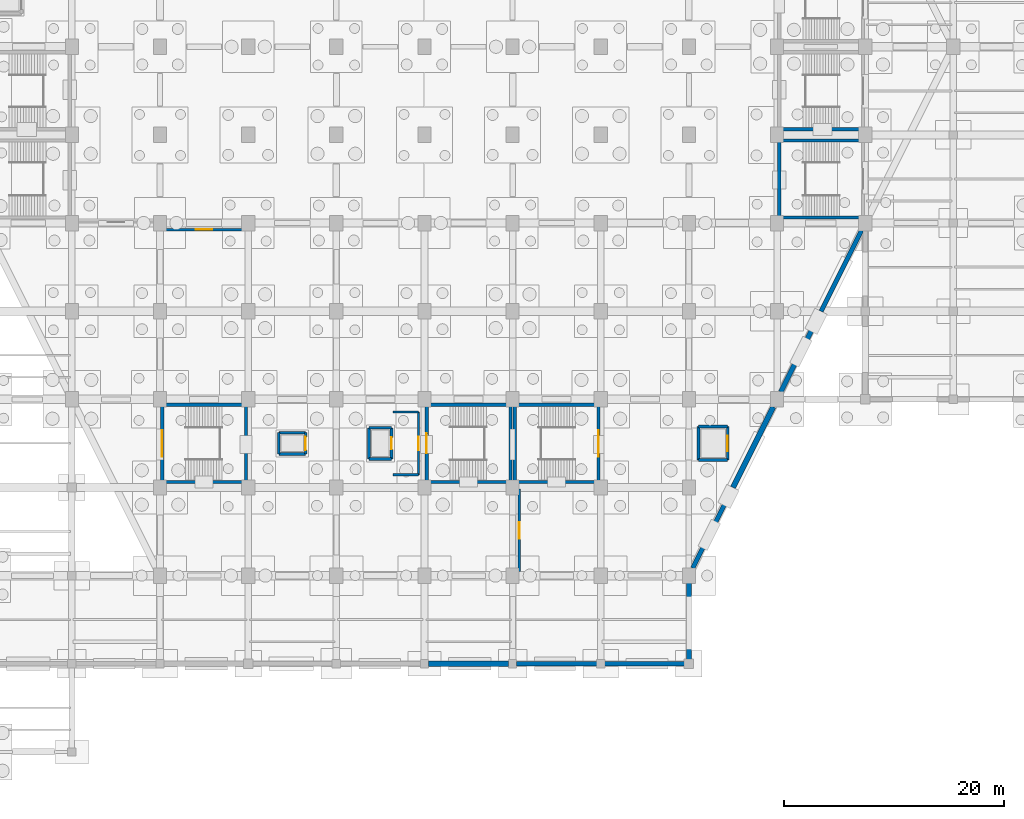
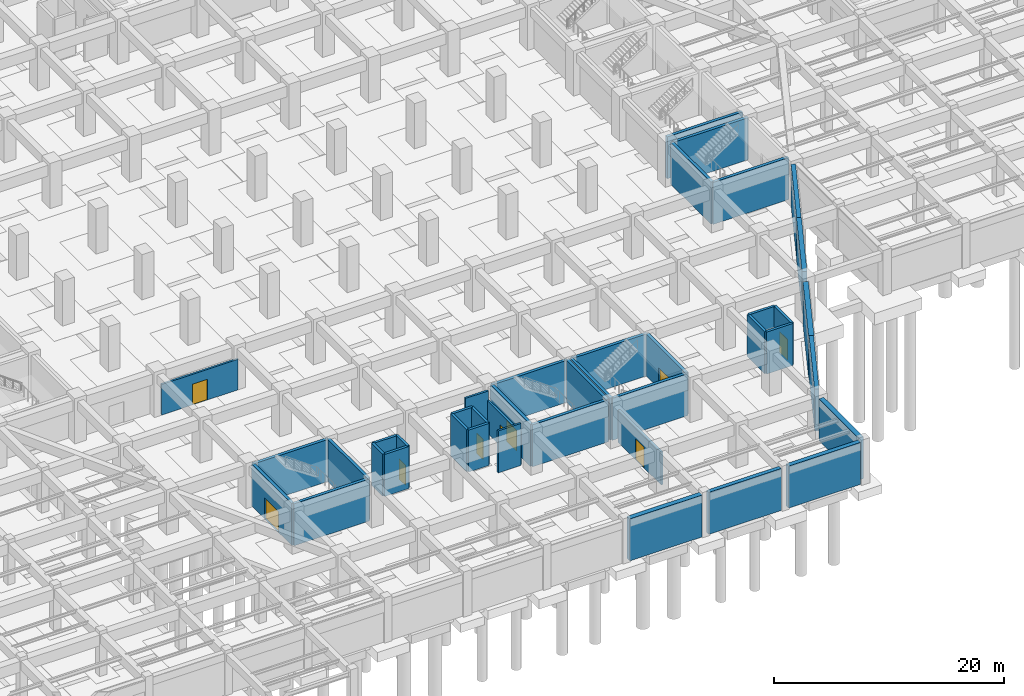
# One storey, part 24 of 36: 41 walls, 9 doors, 9 openings.
"""IFC4 building model written with IfcOpenShell, lengths in metres."""

from ifc_helpers import new_model, si_unit, direction, frame, frame_2d, origin, place, context, subcontext, project, spatial, rectangle, extrude, material, layer, layer_set, type_object, element, fill, save


model = new_model("IFC4")

# Units and contexts
model_context = context("Model", 3, precision=1e-05, world=origin(), true_north=direction((0.0, 1.0)))
body_context = subcontext(model_context, "Body", "Model", "MODEL_VIEW")
ifc_project = project(units=[si_unit("LENGTHUNIT", "METRE"), si_unit("AREAUNIT", "SQUARE_METRE"), si_unit("VOLUMEUNIT", "CUBIC_METRE"), si_unit("PLANEANGLEUNIT", "RADIAN"), si_unit("MASSUNIT", "GRAM", prefix="KILO")], contexts=[model_context])

# Site, building, storey
site_placement = place(None, origin())
site = spatial("IfcSite", under=ifc_project, at=site_placement, CompositionType="ELEMENT")
building_placement = place(site_placement, origin())
building = spatial("IfcBuilding", under=site, at=building_placement, Name="Tazarka Park Arena", CompositionType="ELEMENT")
storey_placement = place(building_placement, frame((0.0, 0.0, -4.800048828125)))
storey = spatial("IfcBuildingStorey", under=building, at=storey_placement, Name="B1", CompositionType="ELEMENT", Elevation=-4.800048828125)

# Wall
ifc_material_1 = material(Name="Concrete C40/50", Category="concrete")
ifc_layer_1 = layer(ifc_material_1, 0.300048828125, Name="Concrete C40/50")
ifc_layer_set_1 = layer_set([ifc_layer_1], Name="Concrete C40/50")
wall_type_1 = type_object("IfcWallType", Name="IWAL-CW-S1", PredefinedType="SHEAR", material=ifc_layer_set_1)
wall_1_placement = place(storey_placement, frame((71.800048828125, 24.5, 0.0), z_axis=(0.0, 0.0, 1.0), x_axis=(-1.0, 0.0, 0.0)))
element("IfcWall", 1, at=wall_1_placement, inside=storey, type_object=wall_type_1, Name="SCW-B1-ST09-S", PredefinedType="SHEAR", context=body_context, shape_type="SweptSolid", body=[
    extrude(rectangle(XDim=7.60009765625, YDim=0.300048828125, at=frame_2d((3.800048828125, 0.0))), origin(), (0.0, 0.0, 1.0), 4.4599609375),
])

# Wall, opening, door
wall_2_placement = place(storey_placement, frame((64.199951171875, 24.5, 0.0), z_axis=(0.0, 0.0, 1.0), x_axis=(0.0, 1.0, 0.0)))
wall_2 = element("IfcWall", 2, at=wall_2_placement, inside=storey, type_object=wall_type_1, Name="SCW-B1-ST09-W", PredefinedType="SHEAR", context=body_context, shape_type="SweptSolid", body=[
    extrude(rectangle(XDim=7.0, YDim=0.300048828125, at=frame_2d((3.5, 0.0))), origin(), (0.0, 0.0, 1.0), 4.4599609375),
])
opening_1_placement = place(wall_2_placement, frame((2.300048828125, 0.0, 0.0)))
opening_1 = element("IfcOpeningElement", 3, at=opening_1_placement, cuts=wall_2, Name="Opening ID-05", PredefinedType="OPENING", context=body_context, shape_type="SweptSolid", body=[
    extrude(rectangle(XDim=2.39990234375, YDim=2.199951171875, at=frame_2d((1.199951171875, 1.10009765625))), frame((0.0, 0.16015625, 0.0), z_axis=(0.0, -1.0, 0.0), x_axis=(1.0, 0.0, 0.0)), (0.0, 0.0, 1.0), 0.320068359375),
])
ifc_material_2 = material(Name="Fire-rated powder-coated steel and acoustic timber", Category="steel")
door_type_1 = type_object("IfcDoorType", Name="IDR-ID-05", OperationType="NOTDEFINED", PredefinedType="DOOR", material=ifc_material_2)
door_1_placement = place(opening_1_placement, frame((2.39990234375, 0.0, 0.0), z_axis=(0.0, 0.0, 1.0), x_axis=(-1.0, 0.0, 0.0)))
door_1 = element("IfcDoor", 4, at=door_1_placement, inside=storey, type_object=door_type_1, Name="Exit Stair Door ST09-B1", OperationType="DOUBLE_DOOR_SINGLE_SWING", OverallHeight=2.199951171875, OverallWidth=2.39990234375, PredefinedType="DOOR", context=body_context, shape_type="SweptSolid", body=[
    extrude(rectangle(XDim=2.39990234375, YDim=2.199951171875, at=frame_2d((1.199951171875, 1.10009765625))), frame((0.0, 0.02490234375, 0.0), z_axis=(0.0, -1.0, 0.0), x_axis=(1.0, 0.0, 0.0)), (0.0, 0.0, 1.0), 0.050048828125),
])
fill(opening_1, door_1)

# Walls
wall_3_placement = place(storey_placement, frame((64.199951171875, 31.5, 0.0), z_axis=(0.0, 0.0, 1.0), x_axis=(1.0, 0.0, 0.0)))
element("IfcWall", 5, at=wall_3_placement, inside=storey, type_object=wall_type_1, Name="SCW-B1-ST09-N", PredefinedType="SHEAR", context=body_context, shape_type="SweptSolid", body=[
    extrude(rectangle(XDim=7.60009765625, YDim=0.300048828125, at=frame_2d((3.800048828125, 0.0))), origin(), (0.0, 0.0, 1.0), 4.4599609375),
])
wall_4_placement = place(storey_placement, frame((71.800048828125, 31.5, 0.0), z_axis=(0.0, 0.0, 1.0), x_axis=(0.0, -1.0, 0.0)))
element("IfcWall", 6, at=wall_4_placement, inside=storey, type_object=wall_type_1, Name="SCW-B1-ST09-E", PredefinedType="SHEAR", context=body_context, shape_type="SweptSolid", body=[
    extrude(rectangle(XDim=7.0, YDim=0.300048828125, at=frame_2d((3.5, 0.0))), origin(), (0.0, 0.0, 1.0), 4.4599609375),
])
wall_5_placement = place(storey_placement, frame((103.800048828125, 24.5, 0.0), z_axis=(0.0, 0.0, 1.0), x_axis=(-1.0, 0.0, 0.0)))
element("IfcWall", 7, at=wall_5_placement, inside=storey, type_object=wall_type_1, Name="SCW-B1-ST11-S", PredefinedType="SHEAR", context=body_context, shape_type="SweptSolid", body=[
    extrude(rectangle(XDim=7.60009765625, YDim=0.300048828125, at=frame_2d((3.800048828125, 0.0))), origin(), (0.0, 0.0, 1.0), 4.4599609375),
])
wall_6_placement = place(storey_placement, frame((96.199951171875, 24.5, 0.0), z_axis=(0.0, 0.0, 1.0), x_axis=(0.0, 1.0, 0.0)))
element("IfcWall", 8, at=wall_6_placement, inside=storey, type_object=wall_type_1, Name="SCW-B1-ST11-W", PredefinedType="SHEAR", context=body_context, shape_type="SweptSolid", body=[
    extrude(rectangle(XDim=7.0, YDim=0.300048828125, at=frame_2d((3.5, 0.0))), origin(), (0.0, 0.0, 1.0), 4.4599609375),
])
wall_7_placement = place(storey_placement, frame((96.199951171875, 31.5, 0.0), z_axis=(0.0, 0.0, 1.0), x_axis=(1.0, 0.0, 0.0)))
element("IfcWall", 9, at=wall_7_placement, inside=storey, type_object=wall_type_1, Name="SCW-B1-ST11-N", PredefinedType="SHEAR", context=body_context, shape_type="SweptSolid", body=[
    extrude(rectangle(XDim=7.60009765625, YDim=0.300048828125, at=frame_2d((3.800048828125, 0.0))), origin(), (0.0, 0.0, 1.0), 4.4599609375),
])

# Wall, opening, door
wall_8_placement = place(storey_placement, frame((103.800048828125, 31.5, 0.0), z_axis=(0.0, 0.0, 1.0), x_axis=(0.0, -1.0, 0.0)))
wall_8 = element("IfcWall", 10, at=wall_8_placement, inside=storey, type_object=wall_type_1, Name="SCW-B1-ST11-E", PredefinedType="SHEAR", context=body_context, shape_type="SweptSolid", body=[
    extrude(rectangle(XDim=7.0, YDim=0.300048828125, at=frame_2d((3.5, 0.0))), origin(), (0.0, 0.0, 1.0), 4.4599609375),
])
opening_2_placement = place(wall_8_placement, frame((2.300048828125, 0.0, 0.0)))
opening_2 = element("IfcOpeningElement", 11, at=opening_2_placement, cuts=wall_8, Name="Opening ID-05", PredefinedType="OPENING", context=body_context, shape_type="SweptSolid", body=[
    extrude(rectangle(XDim=2.39990234375, YDim=2.199951171875, at=frame_2d((1.199951171875, 1.10009765625))), frame((0.0, 0.16015625, 0.0), z_axis=(0.0, -1.0, 0.0), x_axis=(1.0, 0.0, 0.0)), (0.0, 0.0, 1.0), 0.320068359375),
])
door_2_placement = place(opening_2_placement, frame((2.39990234375, 0.0, 0.0), z_axis=(0.0, 0.0, 1.0), x_axis=(-1.0, 0.0, 0.0)))
door_2 = element("IfcDoor", 12, at=door_2_placement, inside=storey, type_object=door_type_1, Name="Exit Stair Door ST11-B1", OperationType="DOUBLE_DOOR_SINGLE_SWING", OverallHeight=2.199951171875, OverallWidth=2.39990234375, PredefinedType="DOOR", context=body_context, shape_type="SweptSolid", body=[
    extrude(rectangle(XDim=2.39990234375, YDim=2.199951171875, at=frame_2d((1.199951171875, 1.10009765625))), frame((0.0, 0.02490234375, 0.0), z_axis=(0.0, -1.0, 0.0), x_axis=(1.0, 0.0, 0.0)), (0.0, 0.0, 1.0), 0.050048828125),
])
fill(opening_2, door_2)

# Walls
for number, where, z_axis, x_axis, name in (
    (13, (127.800048828125, 56.5, 0.0), (0.0, 0.0, 1.0), (-1.0, 0.0, 0.0), "SCW-B1-ST12-S"),
    (14, (127.800048828125, 48.5, 0.0), (0.0, 0.0, 1.0), (-1.0, 0.0, 0.0), "SCW-B1-ST21-S"),
):
    element("IfcWall", number, at=place(storey_placement, frame(where, z_axis=z_axis, x_axis=x_axis)), inside=storey, type_object=wall_type_1, Name=name, PredefinedType="SHEAR", context=body_context, shape_type="SweptSolid", body=[
        extrude(rectangle(XDim=7.60009765625, YDim=0.300048828125, at=frame_2d((3.800048828125, 0.0))), origin(), (0.0, 0.0, 1.0), 4.4599609375),
    ])
wall_9_placement = place(storey_placement, frame((120.199951171875, 48.5, 0.0), z_axis=(0.0, 0.0, 1.0), x_axis=(0.0, 1.0, 0.0)))
element("IfcWall", 15, at=wall_9_placement, inside=storey, type_object=wall_type_1, Name="SCW-B1-ST21-W", PredefinedType="SHEAR", context=body_context, shape_type="SweptSolid", body=[
    extrude(rectangle(XDim=7.0, YDim=0.300048828125, at=frame_2d((3.5, 0.0))), origin(), (0.0, 0.0, 1.0), 4.4599609375),
])
for number, where, z_axis, x_axis, name in (
    (16, (120.199951171875, 55.5, 0.0), (0.0, 0.0, 1.0), (1.0, 0.0, 0.0), "SCW-B1-ST21-N"),
    (17, (95.800048828125, 24.5, 0.0), (0.0, 0.0, 1.0), (-1.0, 0.0, 0.0), "SCW-B1-ST23-S"),
):
    element("IfcWall", number, at=place(storey_placement, frame(where, z_axis=z_axis, x_axis=x_axis)), inside=storey, type_object=wall_type_1, Name=name, PredefinedType="SHEAR", context=body_context, shape_type="SweptSolid", body=[
        extrude(rectangle(XDim=7.60009765625, YDim=0.300048828125, at=frame_2d((3.800048828125, 0.0))), origin(), (0.0, 0.0, 1.0), 4.4599609375),
    ])

# Wall, opening, door
wall_10_placement = place(storey_placement, frame((88.199951171875, 24.5, 0.0), z_axis=(0.0, 0.0, 1.0), x_axis=(0.0, 1.0, 0.0)))
wall_10 = element("IfcWall", 18, at=wall_10_placement, inside=storey, type_object=wall_type_1, Name="SCW-B1-ST23-W", PredefinedType="SHEAR", context=body_context, shape_type="SweptSolid", body=[
    extrude(rectangle(XDim=7.0, YDim=0.300048828125, at=frame_2d((3.5, 0.0))), origin(), (0.0, 0.0, 1.0), 4.4599609375),
])
opening_3_placement = place(wall_10_placement, frame((2.60009765625, 0.0, 0.0)))
opening_3 = element("IfcOpeningElement", 19, at=opening_3_placement, cuts=wall_10, Name="Opening ID-04", PredefinedType="OPENING", context=body_context, shape_type="SweptSolid", body=[
    extrude(rectangle(XDim=1.800048828125, YDim=2.199951171875, at=frame_2d((0.89990234375, 1.10009765625))), frame((0.0, 0.16015625, 0.0), z_axis=(0.0, -1.0, 0.0), x_axis=(1.0, 0.0, 0.0)), (0.0, 0.0, 1.0), 0.320068359375),
])
ifc_material_3 = material(Name="Fire-rated powder-coated steel and acoustic timber", Category="steel")
door_type_2 = type_object("IfcDoorType", Name="IDR-ID-04", OperationType="NOTDEFINED", PredefinedType="DOOR", material=ifc_material_3)
door_3_placement = place(opening_3_placement, frame((1.800048828125, 0.0, 0.0), z_axis=(0.0, 0.0, 1.0), x_axis=(-1.0, 0.0, 0.0)))
door_3 = element("IfcDoor", 20, at=door_3_placement, inside=storey, type_object=door_type_2, Name="Vomitory Stair Door ST23-B1", OperationType="DOUBLE_DOOR_SINGLE_SWING", OverallHeight=2.199951171875, OverallWidth=1.800048828125, PredefinedType="DOOR", context=body_context, shape_type="SweptSolid", body=[
    extrude(rectangle(XDim=1.800048828125, YDim=2.199951171875, at=frame_2d((0.89990234375, 1.10009765625))), frame((0.0, 0.02490234375, 0.0), z_axis=(0.0, -1.0, 0.0), x_axis=(1.0, 0.0, 0.0)), (0.0, 0.0, 1.0), 0.050048828125),
])
fill(opening_3, door_3)

# Walls
wall_11_placement = place(storey_placement, frame((88.199951171875, 31.5, 0.0), z_axis=(0.0, 0.0, 1.0), x_axis=(1.0, 0.0, 0.0)))
element("IfcWall", 21, at=wall_11_placement, inside=storey, type_object=wall_type_1, Name="SCW-B1-ST23-N", PredefinedType="SHEAR", context=body_context, shape_type="SweptSolid", body=[
    extrude(rectangle(XDim=7.60009765625, YDim=0.300048828125, at=frame_2d((3.800048828125, 0.0))), origin(), (0.0, 0.0, 1.0), 4.4599609375),
])
wall_12_placement = place(storey_placement, frame((95.800048828125, 31.5, 0.0), z_axis=(0.0, 0.0, 1.0), x_axis=(0.0, -1.0, 0.0)))
element("IfcWall", 22, at=wall_12_placement, inside=storey, type_object=wall_type_1, Name="SCW-B1-ST23-E", PredefinedType="SHEAR", context=body_context, shape_type="SweptSolid", body=[
    extrude(rectangle(XDim=7.0, YDim=0.300048828125, at=frame_2d((3.5, 0.0))), origin(), (0.0, 0.0, 1.0), 4.4599609375),
])
ifc_material_4 = material(Name="Concrete C40/50", Category="concrete")
ifc_layer_2 = layer(ifc_material_4, 0.260009765625, Name="Concrete C40/50")
ifc_layer_set_2 = layer_set([ifc_layer_2], Name="Concrete C40/50")
wall_type_2 = type_object("IfcWallType", Name="IWAL-CW-S3", PredefinedType="SHEAR", material=ifc_layer_set_2)
wall_13_placement = place(storey_placement, frame((82.97998046875, 26.580078125, 0.0), z_axis=(0.0, 0.0, 1.0), x_axis=(0.0, 1.0, 0.0)))
element("IfcWall", 23, at=wall_13_placement, inside=storey, type_object=wall_type_2, Name="LSW-B1-LF-04-W", PredefinedType="SHEAR", context=body_context, shape_type="SweptSolid", body=[
    extrude(rectangle(XDim=2.83984375, YDim=0.260009765625, at=frame_2d((1.419921875, 0.0))), origin(), (0.0, 0.0, 1.0), 4.4599609375),
])
for number, where, z_axis, x_axis, name in (
    (24, (82.97998046875, 29.419921875, 0.0), (0.0, 0.0, 1.0), (1.0, 0.0, 0.0), "LSW-B1-LF-04-N"),
    (25, (85.02001953125, 26.580078125, 0.0), (0.0, 0.0, 1.0), (-1.0, 0.0, 0.0), "LSW-B1-LF-04-S"),
):
    element("IfcWall", number, at=place(storey_placement, frame(where, z_axis=z_axis, x_axis=x_axis)), inside=storey, type_object=wall_type_2, Name=name, PredefinedType="SHEAR", context=body_context, shape_type="SweptSolid", body=[
        extrude(rectangle(XDim=2.0400390625, YDim=0.260009765625, at=frame_2d((1.02001953125, 0.0))), origin(), (0.0, 0.0, 1.0), 4.4599609375),
    ])

# Wall, opening, door
wall_14_placement = place(storey_placement, frame((85.02001953125, 29.419921875, 0.0), z_axis=(0.0, 0.0, 1.0), x_axis=(0.0, -1.0, 0.0)))
wall_14 = element("IfcWall", 26, at=wall_14_placement, inside=storey, type_object=wall_type_2, Name="LSW-B1-LF-04-E", PredefinedType="SHEAR", context=body_context, shape_type="SweptSolid", body=[
    extrude(rectangle(XDim=2.83984375, YDim=0.260009765625, at=frame_2d((1.419921875, 0.0))), origin(), (0.0, 0.0, 1.0), 4.4599609375),
])
opening_4_placement = place(wall_14_placement, frame((0.8701171875, 0.0, 0.0)))
opening_4 = element("IfcOpeningElement", 27, at=opening_4_placement, cuts=wall_14, Name="Opening LD-01", PredefinedType="OPENING", context=body_context, shape_type="SweptSolid", body=[
    extrude(rectangle(XDim=1.10009765625, YDim=2.14990234375, at=frame_2d((0.550048828125, 1.074951171875))), frame((0.0, 0.14013671875, 0.0), z_axis=(0.0, -1.0, 0.0), x_axis=(1.0, 0.0, 0.0)), (0.0, 0.0, 1.0), 0.280029296875),
])
ifc_material_5 = material(Name="Fire-rated powder-coated steel and acoustic timber", Category="steel")
door_type_3 = type_object("IfcDoorType", Name="IDR-LD-01", OperationType="NOTDEFINED", PredefinedType="DOOR", material=ifc_material_5)
door_4_placement = place(opening_4_placement, origin())
door_4 = element("IfcDoor", 28, at=door_4_placement, inside=storey, type_object=door_type_3, Name="Lift Landing Door LF-04-B1", OperationType="SLIDING_TO_LEFT", OverallHeight=2.14990234375, OverallWidth=1.10009765625, PredefinedType="DOOR", context=body_context, shape_type="SweptSolid", body=[
    extrude(rectangle(XDim=1.10009765625, YDim=2.14990234375, at=frame_2d((0.550048828125, 1.074951171875))), frame((0.0, 0.02490234375, 0.0), z_axis=(0.0, -1.0, 0.0), x_axis=(1.0, 0.0, 0.0)), (0.0, 0.0, 1.0), 0.050048828125),
])
fill(opening_4, door_4)

# Walls
wall_15_placement = place(storey_placement, frame((74.780029296875, 27.030029296875, 0.0), z_axis=(0.0, 0.0, 1.0), x_axis=(0.0, 1.0, 0.0)))
element("IfcWall", 29, at=wall_15_placement, inside=storey, type_object=wall_type_2, Name="LSW-B1-LF-08-W", PredefinedType="SHEAR", context=body_context, shape_type="SweptSolid", body=[
    extrude(rectangle(XDim=1.93994140625, YDim=0.260009765625, at=frame_2d((0.969970703125, 0.0))), origin(), (0.0, 0.0, 1.0), 4.4599609375),
])
for number, where, z_axis, x_axis, name in (
    (30, (74.780029296875, 28.969970703125, 0.0), (0.0, 0.0, 1.0), (1.0, 0.0, 0.0), "LSW-B1-LF-08-N"),
    (31, (77.219970703125, 27.030029296875, 0.0), (0.0, 0.0, 1.0), (-1.0, 0.0, 0.0), "LSW-B1-LF-08-S"),
):
    element("IfcWall", number, at=place(storey_placement, frame(where, z_axis=z_axis, x_axis=x_axis)), inside=storey, type_object=wall_type_2, Name=name, PredefinedType="SHEAR", context=body_context, shape_type="SweptSolid", body=[
        extrude(rectangle(XDim=2.43994140625, YDim=0.260009765625, at=frame_2d((1.219970703125, 0.0))), origin(), (0.0, 0.0, 1.0), 4.4599609375),
    ])

# Wall, opening, door
wall_16_placement = place(storey_placement, frame((77.219970703125, 28.969970703125, 0.0), z_axis=(0.0, 0.0, 1.0), x_axis=(0.0, -1.0, 0.0)))
wall_16 = element("IfcWall", 32, at=wall_16_placement, inside=storey, type_object=wall_type_2, Name="LSW-B1-LF-08-E", PredefinedType="SHEAR", context=body_context, shape_type="SweptSolid", body=[
    extrude(rectangle(XDim=1.93994140625, YDim=0.260009765625, at=frame_2d((0.969970703125, 0.0))), origin(), (0.0, 0.0, 1.0), 4.4599609375),
])
opening_5_placement = place(wall_16_placement, frame((0.3701171875, 0.0, 0.0)))
opening_5 = element("IfcOpeningElement", 33, at=opening_5_placement, cuts=wall_16, Name="Opening LD-02", PredefinedType="OPENING", context=body_context, shape_type="SweptSolid", body=[
    extrude(rectangle(XDim=1.199951171875, YDim=2.14990234375, at=frame_2d((0.60009765625, 1.074951171875))), frame((0.0, 0.14013671875, 0.0), z_axis=(0.0, -1.0, 0.0), x_axis=(1.0, 0.0, 0.0)), (0.0, 0.0, 1.0), 0.280029296875),
])
ifc_material_6 = material(Name="Fire-rated powder-coated steel and acoustic timber", Category="steel")
door_type_4 = type_object("IfcDoorType", Name="IDR-LD-02", OperationType="NOTDEFINED", PredefinedType="DOOR", material=ifc_material_6)
door_5_placement = place(opening_5_placement, origin())
door_5 = element("IfcDoor", 34, at=door_5_placement, inside=storey, type_object=door_type_4, Name="Lift Landing Door LF-08-B1", OperationType="SLIDING_TO_LEFT", OverallHeight=2.14990234375, OverallWidth=1.199951171875, PredefinedType="DOOR", context=body_context, shape_type="SweptSolid", body=[
    extrude(rectangle(XDim=1.199951171875, YDim=2.14990234375, at=frame_2d((0.60009765625, 1.074951171875))), frame((0.0, 0.02490234375, 0.0), z_axis=(0.0, -1.0, 0.0), x_axis=(1.0, 0.0, 0.0)), (0.0, 0.0, 1.0), 0.050048828125),
])
fill(opening_5, door_5)

# Walls
wall_17_placement = place(storey_placement, frame((112.8798828125, 26.47998046875, 0.0), z_axis=(0.0, 0.0, 1.0), x_axis=(0.0, 1.0, 0.0)))
element("IfcWall", 35, at=wall_17_placement, inside=storey, type_object=wall_type_2, Name="LSW-B1-LF-11-W", PredefinedType="SHEAR", context=body_context, shape_type="SweptSolid", body=[
    extrude(rectangle(XDim=3.0400390625, YDim=0.260009765625, at=frame_2d((1.52001953125, 0.0))), origin(), (0.0, 0.0, 1.0), 4.4599609375),
])
for number, where, z_axis, x_axis, name in (
    (36, (112.8798828125, 29.52001953125, 0.0), (0.0, 0.0, 1.0), (1.0, 0.0, 0.0), "LSW-B1-LF-11-N"),
    (37, (115.52001953125, 26.47998046875, 0.0), (0.0, 0.0, 1.0), (-1.0, 0.0, 0.0), "LSW-B1-LF-11-S"),
):
    element("IfcWall", number, at=place(storey_placement, frame(where, z_axis=z_axis, x_axis=x_axis)), inside=storey, type_object=wall_type_2, Name=name, PredefinedType="SHEAR", context=body_context, shape_type="SweptSolid", body=[
        extrude(rectangle(XDim=2.64013671875, YDim=0.260009765625, at=frame_2d((1.320068359375, 0.0))), origin(), (0.0, 0.0, 1.0), 4.4599609375),
    ])

# Wall, opening, door
wall_18_placement = place(storey_placement, frame((115.52001953125, 29.52001953125, 0.0), z_axis=(0.0, 0.0, 1.0), x_axis=(0.0, -1.0, 0.0)))
wall_18 = element("IfcWall", 38, at=wall_18_placement, inside=storey, type_object=wall_type_2, Name="LSW-B1-LF-11-E", PredefinedType="SHEAR", context=body_context, shape_type="SweptSolid", body=[
    extrude(rectangle(XDim=3.0400390625, YDim=0.260009765625, at=frame_2d((1.52001953125, 0.0))), origin(), (0.0, 0.0, 1.0), 4.4599609375),
])
opening_6_placement = place(wall_18_placement, frame((0.820068359375, 0.0, 0.0)))
opening_6 = element("IfcOpeningElement", 39, at=opening_6_placement, cuts=wall_18, Name="Opening LD-03", PredefinedType="OPENING", context=body_context, shape_type="SweptSolid", body=[
    extrude(rectangle(XDim=1.39990234375, YDim=2.199951171875, at=frame_2d((0.699951171875, 1.10009765625))), frame((0.0, 0.14013671875, 0.0), z_axis=(0.0, -1.0, 0.0), x_axis=(1.0, 0.0, 0.0)), (0.0, 0.0, 1.0), 0.280029296875),
])
ifc_material_7 = material(Name="Fire-rated powder-coated steel and acoustic timber", Category="steel")
door_type_5 = type_object("IfcDoorType", Name="IDR-LD-03", OperationType="NOTDEFINED", PredefinedType="DOOR", material=ifc_material_7)
door_6_placement = place(opening_6_placement, origin())
door_6 = element("IfcDoor", 40, at=door_6_placement, inside=storey, type_object=door_type_5, Name="Lift Landing Door LF-11-B1", OperationType="SLIDING_TO_LEFT", OverallHeight=2.199951171875, OverallWidth=1.39990234375, PredefinedType="DOOR", context=body_context, shape_type="SweptSolid", body=[
    extrude(rectangle(XDim=1.39990234375, YDim=2.199951171875, at=frame_2d((0.699951171875, 1.10009765625))), frame((0.0, 0.02490234375, 0.0), z_axis=(0.0, -1.0, 0.0), x_axis=(1.0, 0.0, 0.0)), (0.0, 0.0, 1.0), 0.050048828125),
])
fill(opening_6, door_6)

# Walls
ifc_material_8 = material(Name="Reinforced masonry compartment wall", Category="masonry")
ifc_layer_3 = layer(ifc_material_8, 0.199951171875, Name="Reinforced masonry compartment wall")
ifc_layer_set_3 = layer_set([ifc_layer_3], Name="Reinforced masonry compartment wall")
wall_type_3 = type_object("IfcWallType", Name="IWAL-PT-04", PredefinedType="PARTITIONING", material=ifc_layer_set_3)
for number, where, z_axis, x_axis, name in (
    (41, (85.14990234375, 30.85009765625, 0.0), (0.0, 0.0, 1.0), (1.0, 0.0, 0.0), "FFW-B1-LF-04-N"),
    (42, (87.449951171875, 25.14990234375, 0.0), (0.0, 0.0, 1.0), (-1.0, 0.0, 0.0), "FFW-B1-LF-04-S"),
):
    element("IfcWall", number, at=place(storey_placement, frame(where, z_axis=z_axis, x_axis=x_axis)), inside=storey, type_object=wall_type_3, Name=name, PredefinedType="PARTITIONING", context=body_context, shape_type="SweptSolid", body=[
        extrude(rectangle(XDim=2.300048828125, YDim=0.199951171875, at=frame_2d((1.14990234375, 0.0))), origin(), (0.0, 0.0, 1.0), 4.4599609375),
    ])

# Wall, opening, door
wall_19_placement = place(storey_placement, frame((87.449951171875, 30.85009765625, 0.0), z_axis=(0.0, 0.0, 1.0), x_axis=(0.0, -1.0, 0.0)))
wall_19 = element("IfcWall", 43, at=wall_19_placement, inside=storey, type_object=wall_type_3, Name="FFW-B1-LF-04-E", PredefinedType="PARTITIONING", context=body_context, shape_type="SweptSolid", body=[
    extrude(rectangle(XDim=5.7001953125, YDim=0.199951171875, at=frame_2d((2.85009765625, 0.0))), origin(), (0.0, 0.0, 1.0), 3.449951171875),
])
opening_7_placement = place(wall_19_placement, frame((2.25, 0.0, 0.0)))
opening_7 = element("IfcOpeningElement", 44, at=opening_7_placement, cuts=wall_19, Name="Opening ID-03", PredefinedType="OPENING", context=body_context, shape_type="SweptSolid", body=[
    extrude(rectangle(XDim=1.199951171875, YDim=2.199951171875, at=frame_2d((0.60009765625, 1.10009765625))), frame((0.0, 0.10986328125, 0.0), z_axis=(0.0, -1.0, 0.0), x_axis=(1.0, 0.0, 0.0)), (0.0, 0.0, 1.0), 0.219970703125),
])
ifc_material_9 = material(Name="Fire-rated powder-coated steel and acoustic timber", Category="steel")
door_type_6 = type_object("IfcDoorType", Name="IDR-ID-03", OperationType="NOTDEFINED", PredefinedType="DOOR", material=ifc_material_9)
door_7_placement = place(opening_7_placement, origin())
door_7 = element("IfcDoor", 45, at=door_7_placement, inside=storey, type_object=door_type_6, Name="Firefighting Lobby Door LF-04-B1", OperationType="SINGLE_SWING_RIGHT", OverallHeight=2.199951171875, OverallWidth=1.199951171875, PredefinedType="DOOR", context=body_context, shape_type="SweptSolid", body=[
    extrude(rectangle(XDim=1.199951171875, YDim=2.199951171875, at=frame_2d((0.60009765625, 1.10009765625))), frame((0.0, 0.02490234375, 0.0), z_axis=(0.0, -1.0, 0.0), x_axis=(1.0, 0.0, 0.0)), (0.0, 0.0, 1.0), 0.050048828125),
])
fill(opening_7, door_7)

wall_20_placement = place(storey_placement, frame((64.1533203125, 47.39990234375, 0.0), z_axis=(0.0, 0.0, 1.0), x_axis=(1.0, 0.0, 0.0)))
wall_20 = element("IfcWall", 46, at=wall_20_placement, inside=storey, type_object=wall_type_3, Name="PRT-B1-001", PredefinedType="PARTITIONING", context=body_context, shape_type="SweptSolid", body=[
    extrude(rectangle(XDim=7.693359375, YDim=0.199951171875, at=frame_2d((3.8466796875, 0.0))), origin(), (0.0, 0.0, 1.0), 3.25),
])
opening_8_placement = place(wall_20_placement, frame((3.0966796875, 0.0, 0.0)))
opening_8 = element("IfcOpeningElement", 47, at=opening_8_placement, cuts=wall_20, Name="Opening ID-06", PredefinedType="OPENING", context=body_context, shape_type="SweptSolid", body=[
    extrude(rectangle(XDim=1.5, YDim=2.199951171875, at=frame_2d((0.75, 1.10009765625))), frame((0.0, 0.10986328125, 0.0), z_axis=(0.0, -1.0, 0.0), x_axis=(1.0, 0.0, 0.0)), (0.0, 0.0, 1.0), 0.219970703125),
])
ifc_material_10 = material(Name="Fire-rated powder-coated steel and acoustic timber", Category="steel")
door_type_7 = type_object("IfcDoorType", Name="IDR-ID-06", OperationType="NOTDEFINED", PredefinedType="DOOR", material=ifc_material_10)
door_8_placement = place(opening_8_placement, origin())
door_8 = element("IfcDoor", 48, at=door_8_placement, inside=storey, type_object=door_type_7, Name="Room Door Central Chiller and Heat Pump Plant Room", OperationType="DOUBLE_DOOR_SINGLE_SWING", OverallHeight=2.199951171875, OverallWidth=1.5, PredefinedType="DOOR", context=body_context, shape_type="SweptSolid", body=[
    extrude(rectangle(XDim=1.5, YDim=2.199951171875, at=frame_2d((0.75, 1.10009765625))), frame((0.0, 0.02490234375, 0.0), z_axis=(0.0, -1.0, 0.0), x_axis=(1.0, 0.0, 0.0)), (0.0, 0.0, 1.0), 0.050048828125),
])
fill(opening_8, door_8)

wall_21_placement = place(storey_placement, frame((96.60009765625, 16.3798828125, 0.0), z_axis=(0.0, 0.0, 1.0), x_axis=(0.0, 1.0, 0.0)))
wall_21 = element("IfcWall", 49, at=wall_21_placement, inside=storey, type_object=wall_type_3, Name="PRT-B1-005", PredefinedType="PARTITIONING", context=body_context, shape_type="SweptSolid", body=[
    extrude(rectangle(XDim=7.466796875, YDim=0.199951171875, at=frame_2d((3.7333984375, 0.0))), origin(), (0.0, 0.0, 1.0), 3.449951171875),
])
opening_9_placement = place(wall_21_placement, frame((2.9833984375, 0.0, 0.0)))
opening_9 = element("IfcOpeningElement", 50, at=opening_9_placement, cuts=wall_21, Name="Opening ID-06", PredefinedType="OPENING", context=body_context, shape_type="SweptSolid", body=[
    extrude(rectangle(XDim=1.5, YDim=2.199951171875, at=frame_2d((0.75, 1.10009765625))), frame((0.0, 0.10986328125, 0.0), z_axis=(0.0, -1.0, 0.0), x_axis=(1.0, 0.0, 0.0)), (0.0, 0.0, 1.0), 0.219970703125),
])
door_9_placement = place(opening_9_placement, origin())
door_9 = element("IfcDoor", 51, at=door_9_placement, inside=storey, type_object=door_type_7, Name="Room Door Sports Court Timber Flooring and Rigging Store", OperationType="DOUBLE_DOOR_SINGLE_SWING", OverallHeight=2.199951171875, OverallWidth=1.5, PredefinedType="DOOR", context=body_context, shape_type="SweptSolid", body=[
    extrude(rectangle(XDim=1.5, YDim=2.199951171875, at=frame_2d((0.75, 1.10009765625))), frame((0.0, 0.02490234375, 0.0), z_axis=(0.0, -1.0, 0.0), x_axis=(1.0, 0.0, 0.0)), (0.0, 0.0, 1.0), 0.050048828125),
])
fill(opening_9, door_9)

# Walls
ifc_material_11 = material(Name="Concrete C35/45", Category="concrete")
ifc_layer_4 = layer(ifc_material_11, 0.39990234375, Name="Concrete C35/45")
ifc_layer_set_4 = layer_set([ifc_layer_4], Name="Concrete C35/45")
wall_type_4 = type_object("IfcWallType", Name="WAL-RW-01", PredefinedType="USERDEFINED", material=ifc_layer_set_4)
wall_22_placement = place(storey_placement, frame((103.64501953125, 8.0, 0.0), z_axis=(0.0, 0.0, 1.0), x_axis=(-1.0, 0.0, 0.0)))
element("IfcWall", 52, at=wall_22_placement, inside=storey, type_object=wall_type_4, Name="EW-B1-0072", ObjectType="RETAININGWALL", PredefinedType="USERDEFINED", context=body_context, shape_type="SweptSolid", body=[
    extrude(rectangle(XDim=7.2900390625, YDim=0.39990234375, at=frame_2d((3.64501953125, 0.0))), origin(), (0.0, 0.0, 1.0), 4.4599609375),
])
for number, where, z_axis, x_axis, name in (
    (53, (127.659912109375, 47.320068359375, 0.0), (0.0, 0.0, 1.0), (-0.447201662923, -0.894433157189, 0.0), "EW-B1-0075"),
    (54, (116.0, 24.0, 0.0), (0.0, 0.0, 1.0), (-0.447201662923, -0.894433157189, 0.0), "EW-B1-0078"),
):
    element("IfcWall", number, at=place(storey_placement, frame(where, z_axis=z_axis, x_axis=x_axis)), inside=storey, type_object=wall_type_4, Name=name, ObjectType="RETAININGWALL", PredefinedType="USERDEFINED", context=body_context, shape_type="SweptSolid", body=[
        extrude(rectangle(XDim=8.18408203125, YDim=0.39990234375, at=frame_2d((4.092041015625, 0.0))), origin(), (0.0, 0.0, 1.0), 4.4599609375),
    ])
ifc_material_12 = material(Name="Concrete C35/45", Category="concrete")
ifc_layer_5 = layer(ifc_material_12, 0.43994140625, Name="Concrete C35/45")
ifc_layer_set_5 = layer_set([ifc_layer_5], Name="Concrete C35/45")
wall_type_5 = type_object("IfcWallType", Name="WAL-RW-02", PredefinedType="USERDEFINED", material=ifc_layer_set_5)
wall_23_placement = place(storey_placement, frame((111.594970703125, 8.0, 0.0), z_axis=(0.0, 0.0, 1.0), x_axis=(-1.0, 0.0, 0.0)))
element("IfcWall", 55, at=wall_23_placement, inside=storey, type_object=wall_type_5, Name="EW-B1-0073", ObjectType="RETAININGWALL", PredefinedType="USERDEFINED", context=body_context, shape_type="SweptSolid", body=[
    extrude(rectangle(XDim=7.239990234375, YDim=0.43994140625, at=frame_2d((3.6201171875, 0.0))), origin(), (0.0, 0.0, 1.0), 4.4599609375),
])
wall_24_placement = place(storey_placement, frame((124.0, 40.0, 0.0), z_axis=(0.0, 0.0, 1.0), x_axis=(-0.447201662923, -0.894433157189, 0.0)))
element("IfcWall", 56, at=wall_24_placement, inside=storey, type_object=wall_type_5, Name="EW-B1-0076", ObjectType="RETAININGWALL", PredefinedType="USERDEFINED", context=body_context, shape_type="SweptSolid", body=[
    extrude(rectangle(XDim=8.18408203125, YDim=0.43994140625, at=frame_2d((4.092041015625, 0.0))), origin(), (0.0, 0.0, 1.0), 4.4599609375),
])
ifc_material_13 = material(Name="Concrete C35/45", Category="concrete")
ifc_layer_6 = layer(ifc_material_13, 0.47998046875, Name="Concrete C35/45")
ifc_layer_set_6 = layer_set([ifc_layer_6], Name="Concrete C35/45")
wall_type_6 = type_object("IfcWallType", Name="WAL-RW-03", PredefinedType="USERDEFINED", material=ifc_layer_set_6)
wall_25_placement = place(storey_placement, frame((95.64501953125, 8.0, 0.0), z_axis=(0.0, 0.0, 1.0), x_axis=(-1.0, 0.0, 0.0)))
element("IfcWall", 57, at=wall_25_placement, inside=storey, type_object=wall_type_6, Name="EW-B1-0071", ObjectType="RETAININGWALL", PredefinedType="USERDEFINED", context=body_context, shape_type="SweptSolid", body=[
    extrude(rectangle(XDim=7.2900390625, YDim=0.47998046875, at=frame_2d((3.64501953125, 0.0))), origin(), (0.0, 0.0, 1.0), 4.4599609375),
])
wall_26_placement = place(storey_placement, frame((112.0, 15.320068359375, 0.0), z_axis=(0.0, 0.0, 1.0), x_axis=(0.0, -1.0, 0.0)))
element("IfcWall", 58, at=wall_26_placement, inside=storey, type_object=wall_type_6, Name="EW-B1-0074", ObjectType="RETAININGWALL", PredefinedType="USERDEFINED", context=body_context, shape_type="SweptSolid", body=[
    extrude(rectangle(XDim=6.9150390625, YDim=0.47998046875, at=frame_2d((3.45751953125, 0.0))), origin(), (0.0, 0.0, 1.0), 4.4599609375),
])
wall_27_placement = place(storey_placement, frame((119.659912109375, 31.320068359375, 0.0), z_axis=(0.0, 0.0, 1.0), x_axis=(-0.447201662923, -0.894433157189, 0.0)))
element("IfcWall", 59, at=wall_27_placement, inside=storey, type_object=wall_type_6, Name="EW-B1-0077", ObjectType="RETAININGWALL", PredefinedType="USERDEFINED", context=body_context, shape_type="SweptSolid", body=[
    extrude(rectangle(XDim=8.18408203125, YDim=0.47998046875, at=frame_2d((4.092041015625, 0.0))), origin(), (0.0, 0.0, 1.0), 4.4599609375),
])

save(model, "model.ifc")
